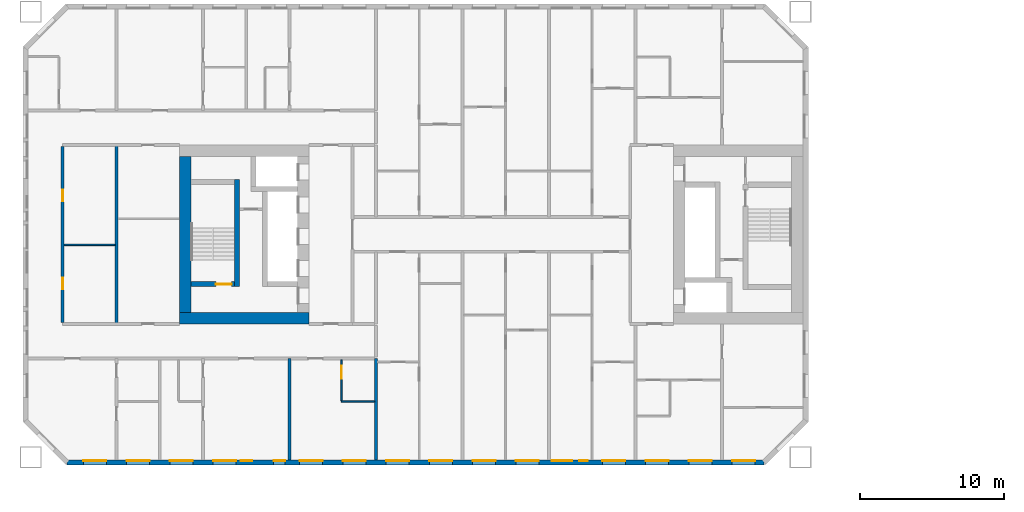
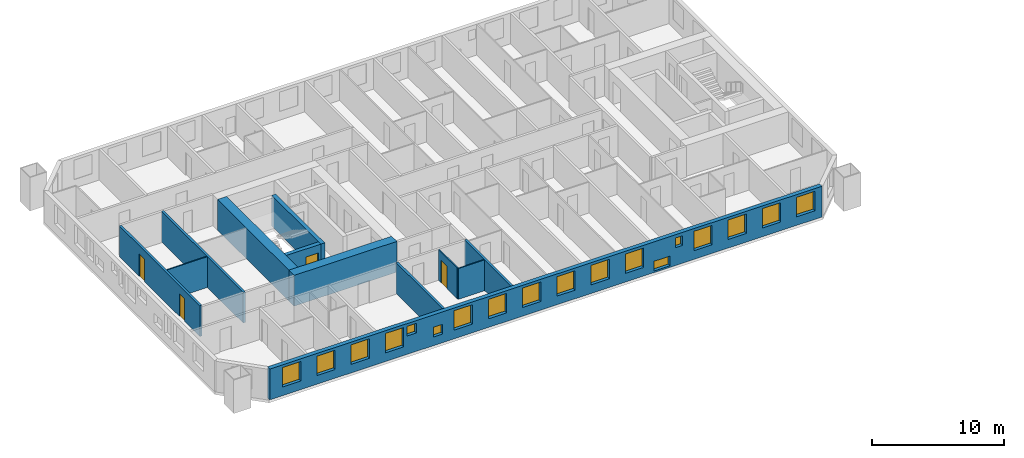
# One storey, part 3 of 17: 18 windows, 12 walls, 4 doors, 22 openings.
"""IFC4 building model written with IfcOpenShell, lengths in metres."""

from ifc_helpers import new_model, si_unit, direction, frame, frame_2d, origin, place, context, subcontext, project, spatial, rectangle, extrude, material, layer, layer_set, type_object, element, fill, save


model = new_model("IFC4")

# Units and contexts
model_context = context("Model", 3, precision=1e-05, world=origin(), true_north=direction((0.0, 1.0)))
body_context = subcontext(model_context, "Body", "Model", "MODEL_VIEW")
ifc_project = project(units=[si_unit("LENGTHUNIT", "METRE"), si_unit("AREAUNIT", "SQUARE_METRE"), si_unit("VOLUMEUNIT", "CUBIC_METRE"), si_unit("PLANEANGLEUNIT", "RADIAN"), si_unit("MASSUNIT", "GRAM", prefix="KILO")], contexts=[model_context])

# Site, building, storey
site_placement = place(None, origin())
site = spatial("IfcSite", under=ifc_project, at=site_placement, CompositionType="ELEMENT")
building_placement = place(site_placement, origin())
building = spatial("IfcBuilding", under=site, at=building_placement, Name="Tuart Gate Housing", CompositionType="ELEMENT")
storey_placement = place(building_placement, frame((0.0, 0.0, 53.60009765625)))
storey = spatial("IfcBuildingStorey", under=building, at=storey_placement, Name="L14", CompositionType="ELEMENT", Elevation=53.60009765625)

# Wall, openings, windows
ifc_material_1 = material(Name="Brick", Category="masonry")
ifc_layer_1 = layer(ifc_material_1, 0.360107421875)
ifc_layer_set_1 = layer_set([ifc_layer_1], Name="Brick pier and spandrel wall 360")
wall_type_1 = type_object("IfcWallType", Name="Brick pier and spandrel wall 360", PredefinedType="STANDARD", material=ifc_layer_set_1)
wall_1_placement = place(storey_placement, frame((24.57470703125, 54.179931640625, 0.0), z_axis=(0.0, 0.0, 1.0), x_axis=(1.0, 0.0, 0.0)))
wall_1 = element("IfcWall", 1, at=wall_1_placement, inside=storey, type_object=wall_type_1, Name="External wall A-S L14", PredefinedType="STANDARD", context=body_context, shape_type="SweptSolid", body=[
    extrude(rectangle(XDim=48.350830078125, YDim=0.360107421875, at=frame_2d((24.17529296875, 0.0))), origin(), (0.0, 0.0, 1.0), 2.849853515625),
])
opening_1_placement = place(wall_1_placement, frame((1.12548828125, 0.0, 0.800048828125)))
opening_1 = element("IfcOpeningElement", 2, at=opening_1_placement, cuts=wall_1, Name="Opening W1", PredefinedType="OPENING", context=body_context, shape_type="SweptSolid", body=[
    extrude(rectangle(XDim=1.60009765625, YDim=1.800048828125, at=frame_2d((0.800048828125, 0.89990234375))), frame((0.0, 0.18994140625, 0.0), z_axis=(0.0, -1.0, 0.0), x_axis=(1.0, 0.0, 0.0)), (0.0, 0.0, 1.0), 0.380126953125),
])
opening_2_placement = place(wall_1_placement, frame((4.12548828125, 0.0, 0.800048828125)))
opening_2 = element("IfcOpeningElement", 3, at=opening_2_placement, cuts=wall_1, Name="Opening W1", PredefinedType="OPENING", context=body_context, shape_type="SweptSolid", body=[
    extrude(rectangle(XDim=1.60009765625, YDim=1.800048828125, at=frame_2d((0.800048828125, 0.89990234375))), frame((0.0, 0.18994140625, 0.0), z_axis=(0.0, -1.0, 0.0), x_axis=(1.0, 0.0, 0.0)), (0.0, 0.0, 1.0), 0.380126953125),
])
opening_3_placement = place(wall_1_placement, frame((7.12548828125, 0.0, 0.800048828125)))
opening_3 = element("IfcOpeningElement", 4, at=opening_3_placement, cuts=wall_1, Name="Opening W1", PredefinedType="OPENING", context=body_context, shape_type="SweptSolid", body=[
    extrude(rectangle(XDim=1.60009765625, YDim=1.800048828125, at=frame_2d((0.800048828125, 0.89990234375))), frame((0.0, 0.18994140625, 0.0), z_axis=(0.0, -1.0, 0.0), x_axis=(1.0, 0.0, 0.0)), (0.0, 0.0, 1.0), 0.380126953125),
])
opening_4_placement = place(wall_1_placement, frame((10.12548828125, 0.0, 0.800048828125)))
opening_4 = element("IfcOpeningElement", 5, at=opening_4_placement, cuts=wall_1, Name="Opening W1", PredefinedType="OPENING", context=body_context, shape_type="SweptSolid", body=[
    extrude(rectangle(XDim=1.60009765625, YDim=1.800048828125, at=frame_2d((0.800048828125, 0.89990234375))), frame((0.0, 0.18994140625, 0.0), z_axis=(0.0, -1.0, 0.0), x_axis=(1.0, 0.0, 0.0)), (0.0, 0.0, 1.0), 0.380126953125),
])
opening_5_placement = place(wall_1_placement, frame((12.025390625, 0.0, 1.699951171875)))
opening_5 = element("IfcOpeningElement", 6, at=opening_5_placement, cuts=wall_1, Name="Opening W1V", PredefinedType="OPENING", context=body_context, shape_type="SweptSolid", body=[
    extrude(rectangle(XDim=0.800048828125, YDim=0.89990234375, at=frame_2d((0.39990234375, 0.449951171875))), frame((0.0, 0.18994140625, 0.0), z_axis=(0.0, -1.0, 0.0), x_axis=(1.0, 0.0, 0.0)), (0.0, 0.0, 1.0), 0.380126953125),
])
opening_6_placement = place(wall_1_placement, frame((16.12548828125, 0.0, 0.800048828125)))
opening_6 = element("IfcOpeningElement", 7, at=opening_6_placement, cuts=wall_1, Name="Opening W1", PredefinedType="OPENING", context=body_context, shape_type="SweptSolid", body=[
    extrude(rectangle(XDim=1.60009765625, YDim=1.800048828125, at=frame_2d((0.800048828125, 0.89990234375))), frame((0.0, 0.18994140625, 0.0), z_axis=(0.0, -1.0, 0.0), x_axis=(1.0, 0.0, 0.0)), (0.0, 0.0, 1.0), 0.380126953125),
])
opening_7_placement = place(wall_1_placement, frame((19.12548828125, 0.0, 0.800048828125)))
opening_7 = element("IfcOpeningElement", 8, at=opening_7_placement, cuts=wall_1, Name="Opening W1", PredefinedType="OPENING", context=body_context, shape_type="SweptSolid", body=[
    extrude(rectangle(XDim=1.60009765625, YDim=1.800048828125, at=frame_2d((0.800048828125, 0.89990234375))), frame((0.0, 0.18994140625, 0.0), z_axis=(0.0, -1.0, 0.0), x_axis=(1.0, 0.0, 0.0)), (0.0, 0.0, 1.0), 0.380126953125),
])
opening_8_placement = place(wall_1_placement, frame((22.12548828125, 0.0, 0.800048828125)))
opening_8 = element("IfcOpeningElement", 9, at=opening_8_placement, cuts=wall_1, Name="Opening W1", PredefinedType="OPENING", context=body_context, shape_type="SweptSolid", body=[
    extrude(rectangle(XDim=1.60009765625, YDim=1.800048828125, at=frame_2d((0.800048828125, 0.89990234375))), frame((0.0, 0.18994140625, 0.0), z_axis=(0.0, -1.0, 0.0), x_axis=(1.0, 0.0, 0.0)), (0.0, 0.0, 1.0), 0.380126953125),
])
opening_9_placement = place(wall_1_placement, frame((25.12548828125, 0.0, 0.800048828125)))
opening_9 = element("IfcOpeningElement", 10, at=opening_9_placement, cuts=wall_1, Name="Opening W1", PredefinedType="OPENING", context=body_context, shape_type="SweptSolid", body=[
    extrude(rectangle(XDim=1.60009765625, YDim=1.800048828125, at=frame_2d((0.800048828125, 0.89990234375))), frame((0.0, 0.18994140625, 0.0), z_axis=(0.0, -1.0, 0.0), x_axis=(1.0, 0.0, 0.0)), (0.0, 0.0, 1.0), 0.380126953125),
])
opening_10_placement = place(wall_1_placement, frame((28.12548828125, 0.0, 0.800048828125)))
opening_10 = element("IfcOpeningElement", 11, at=opening_10_placement, cuts=wall_1, Name="Opening W1", PredefinedType="OPENING", context=body_context, shape_type="SweptSolid", body=[
    extrude(rectangle(XDim=1.60009765625, YDim=1.800048828125, at=frame_2d((0.800048828125, 0.89990234375))), frame((0.0, 0.18994140625, 0.0), z_axis=(0.0, -1.0, 0.0), x_axis=(1.0, 0.0, 0.0)), (0.0, 0.0, 1.0), 0.380126953125),
])
opening_11_placement = place(wall_1_placement, frame((31.12548828125, 0.0, 0.800048828125)))
opening_11 = element("IfcOpeningElement", 12, at=opening_11_placement, cuts=wall_1, Name="Opening W1", PredefinedType="OPENING", context=body_context, shape_type="SweptSolid", body=[
    extrude(rectangle(XDim=1.60009765625, YDim=1.800048828125, at=frame_2d((0.800048828125, 0.89990234375))), frame((0.0, 0.18994140625, 0.0), z_axis=(0.0, -1.0, 0.0), x_axis=(1.0, 0.0, 0.0)), (0.0, 0.0, 1.0), 0.380126953125),
])
opening_12_placement = place(wall_1_placement, frame((33.62548828125, 0.0, 0.14990234375)))
opening_12 = element("IfcOpeningElement", 13, at=opening_12_placement, cuts=wall_1, Name="Opening W1S", PredefinedType="OPENING", context=body_context, shape_type="SweptSolid", body=[
    extrude(rectangle(XDim=1.39990234375, YDim=0.89990234375, at=frame_2d((0.699951171875, 0.449951171875))), frame((0.0, 0.18994140625, 0.0), z_axis=(0.0, -1.0, 0.0), x_axis=(1.0, 0.0, 0.0)), (0.0, 0.0, 1.0), 0.380126953125),
])
opening_13_placement = place(wall_1_placement, frame((37.12548828125, 0.0, 0.800048828125)))
opening_13 = element("IfcOpeningElement", 14, at=opening_13_placement, cuts=wall_1, Name="Opening W1", PredefinedType="OPENING", context=body_context, shape_type="SweptSolid", body=[
    extrude(rectangle(XDim=1.60009765625, YDim=1.800048828125, at=frame_2d((0.800048828125, 0.89990234375))), frame((0.0, 0.18994140625, 0.0), z_axis=(0.0, -1.0, 0.0), x_axis=(1.0, 0.0, 0.0)), (0.0, 0.0, 1.0), 0.380126953125),
])
opening_14_placement = place(wall_1_placement, frame((40.12548828125, 0.0, 0.800048828125)))
opening_14 = element("IfcOpeningElement", 15, at=opening_14_placement, cuts=wall_1, Name="Opening W1", PredefinedType="OPENING", context=body_context, shape_type="SweptSolid", body=[
    extrude(rectangle(XDim=1.60009765625, YDim=1.800048828125, at=frame_2d((0.800048828125, 0.89990234375))), frame((0.0, 0.18994140625, 0.0), z_axis=(0.0, -1.0, 0.0), x_axis=(1.0, 0.0, 0.0)), (0.0, 0.0, 1.0), 0.380126953125),
])
opening_15_placement = place(wall_1_placement, frame((43.12548828125, 0.0, 0.800048828125)))
opening_15 = element("IfcOpeningElement", 16, at=opening_15_placement, cuts=wall_1, Name="Opening W1", PredefinedType="OPENING", context=body_context, shape_type="SweptSolid", body=[
    extrude(rectangle(XDim=1.60009765625, YDim=1.800048828125, at=frame_2d((0.800048828125, 0.89990234375))), frame((0.0, 0.18994140625, 0.0), z_axis=(0.0, -1.0, 0.0), x_axis=(1.0, 0.0, 0.0)), (0.0, 0.0, 1.0), 0.380126953125),
])
opening_16_placement = place(wall_1_placement, frame((46.12548828125, 0.0, 0.800048828125)))
opening_16 = element("IfcOpeningElement", 17, at=opening_16_placement, cuts=wall_1, Name="Opening W1", PredefinedType="OPENING", context=body_context, shape_type="SweptSolid", body=[
    extrude(rectangle(XDim=1.60009765625, YDim=1.800048828125, at=frame_2d((0.800048828125, 0.89990234375))), frame((0.0, 0.18994140625, 0.0), z_axis=(0.0, -1.0, 0.0), x_axis=(1.0, 0.0, 0.0)), (0.0, 0.0, 1.0), 0.380126953125),
])
opening_17_placement = place(wall_1_placement, frame((14.325439453125, 0.0, 0.800048828125)))
opening_17 = element("IfcOpeningElement", 18, at=opening_17_placement, cuts=wall_1, Name="Opening W1V", PredefinedType="OPENING", context=body_context, shape_type="SweptSolid", body=[
    extrude(rectangle(XDim=0.800048828125, YDim=0.89990234375, at=frame_2d((0.39990234375, 0.449951171875))), frame((0.0, 0.18994140625, 0.0), z_axis=(0.0, -1.0, 0.0), x_axis=(1.0, 0.0, 0.0)), (0.0, 0.0, 1.0), 0.380126953125),
])
opening_18_placement = place(wall_1_placement, frame((35.525390625, 0.0, 1.64990234375)))
opening_18 = element("IfcOpeningElement", 19, at=opening_18_placement, cuts=wall_1, Name="Opening W1W", PredefinedType="OPENING", context=body_context, shape_type="SweptSolid", body=[
    extrude(rectangle(XDim=0.60009765625, YDim=0.89990234375, at=frame_2d((0.300048828125, 0.449951171875))), frame((0.0, 0.18994140625, 0.0), z_axis=(0.0, -1.0, 0.0), x_axis=(1.0, 0.0, 0.0)), (0.0, 0.0, 1.0), 0.380126953125),
])
ifc_material_2 = material(Name="Aluminium frame with clear glass", Category="aluminium")
window_type_1 = type_object("IfcWindowType", Name="Punched window 1400 x 900", PartitioningType="SINGLE_PANEL", PredefinedType="WINDOW", material=ifc_material_2)
window_1_placement = place(opening_12_placement, origin())
window_1 = element("IfcWindow", 20, at=window_1_placement, inside=storey, type_object=window_type_1, Name="Window W1S", OverallHeight=0.89990234375, OverallWidth=1.39990234375, PartitioningType="SINGLE_PANEL", PredefinedType="WINDOW", context=body_context, shape_type="SweptSolid", body=[
    extrude(rectangle(XDim=1.39990234375, YDim=0.89990234375, at=frame_2d((0.699951171875, 0.449951171875))), frame((0.0, 0.150146484375, 0.0), z_axis=(0.0, -1.0, 0.0), x_axis=(1.0, 0.0, 0.0)), (0.0, 0.0, 1.0), 0.06005859375),
])
fill(opening_12, window_1)
ifc_material_3 = material(Name="Aluminium frame with clear glass", Category="aluminium")
window_type_2 = type_object("IfcWindowType", Name="Punched window 1600 x 1800", PartitioningType="SINGLE_PANEL", PredefinedType="WINDOW", material=ifc_material_3)
window_2_placement = place(opening_1_placement, origin())
window_2 = element("IfcWindow", 21, at=window_2_placement, inside=storey, type_object=window_type_2, Name="Window W1", OverallHeight=1.800048828125, OverallWidth=1.60009765625, PartitioningType="SINGLE_PANEL", PredefinedType="WINDOW", context=body_context, shape_type="SweptSolid", body=[
    extrude(rectangle(XDim=1.60009765625, YDim=1.800048828125, at=frame_2d((0.800048828125, 0.89990234375))), frame((0.0, 0.150146484375, 0.0), z_axis=(0.0, -1.0, 0.0), x_axis=(1.0, 0.0, 0.0)), (0.0, 0.0, 1.0), 0.06005859375),
])
fill(opening_1, window_2)
window_3_placement = place(opening_2_placement, origin())
window_3 = element("IfcWindow", 22, at=window_3_placement, inside=storey, type_object=window_type_2, Name="Window W1", OverallHeight=1.800048828125, OverallWidth=1.60009765625, PartitioningType="SINGLE_PANEL", PredefinedType="WINDOW", context=body_context, shape_type="SweptSolid", body=[
    extrude(rectangle(XDim=1.60009765625, YDim=1.800048828125, at=frame_2d((0.800048828125, 0.89990234375))), frame((0.0, 0.150146484375, 0.0), z_axis=(0.0, -1.0, 0.0), x_axis=(1.0, 0.0, 0.0)), (0.0, 0.0, 1.0), 0.06005859375),
])
fill(opening_2, window_3)
window_4_placement = place(opening_3_placement, origin())
window_4 = element("IfcWindow", 23, at=window_4_placement, inside=storey, type_object=window_type_2, Name="Window W1", OverallHeight=1.800048828125, OverallWidth=1.60009765625, PartitioningType="SINGLE_PANEL", PredefinedType="WINDOW", context=body_context, shape_type="SweptSolid", body=[
    extrude(rectangle(XDim=1.60009765625, YDim=1.800048828125, at=frame_2d((0.800048828125, 0.89990234375))), frame((0.0, 0.150146484375, 0.0), z_axis=(0.0, -1.0, 0.0), x_axis=(1.0, 0.0, 0.0)), (0.0, 0.0, 1.0), 0.06005859375),
])
fill(opening_3, window_4)
window_5_placement = place(opening_4_placement, origin())
window_5 = element("IfcWindow", 24, at=window_5_placement, inside=storey, type_object=window_type_2, Name="Window W1", OverallHeight=1.800048828125, OverallWidth=1.60009765625, PartitioningType="SINGLE_PANEL", PredefinedType="WINDOW", context=body_context, shape_type="SweptSolid", body=[
    extrude(rectangle(XDim=1.60009765625, YDim=1.800048828125, at=frame_2d((0.800048828125, 0.89990234375))), frame((0.0, 0.150146484375, 0.0), z_axis=(0.0, -1.0, 0.0), x_axis=(1.0, 0.0, 0.0)), (0.0, 0.0, 1.0), 0.06005859375),
])
fill(opening_4, window_5)
window_6_placement = place(opening_6_placement, origin())
window_6 = element("IfcWindow", 25, at=window_6_placement, inside=storey, type_object=window_type_2, Name="Window W1", OverallHeight=1.800048828125, OverallWidth=1.60009765625, PartitioningType="SINGLE_PANEL", PredefinedType="WINDOW", context=body_context, shape_type="SweptSolid", body=[
    extrude(rectangle(XDim=1.60009765625, YDim=1.800048828125, at=frame_2d((0.800048828125, 0.89990234375))), frame((0.0, 0.150146484375, 0.0), z_axis=(0.0, -1.0, 0.0), x_axis=(1.0, 0.0, 0.0)), (0.0, 0.0, 1.0), 0.06005859375),
])
fill(opening_6, window_6)
window_7_placement = place(opening_7_placement, origin())
window_7 = element("IfcWindow", 26, at=window_7_placement, inside=storey, type_object=window_type_2, Name="Window W1", OverallHeight=1.800048828125, OverallWidth=1.60009765625, PartitioningType="SINGLE_PANEL", PredefinedType="WINDOW", context=body_context, shape_type="SweptSolid", body=[
    extrude(rectangle(XDim=1.60009765625, YDim=1.800048828125, at=frame_2d((0.800048828125, 0.89990234375))), frame((0.0, 0.150146484375, 0.0), z_axis=(0.0, -1.0, 0.0), x_axis=(1.0, 0.0, 0.0)), (0.0, 0.0, 1.0), 0.06005859375),
])
fill(opening_7, window_7)
window_8_placement = place(opening_8_placement, origin())
window_8 = element("IfcWindow", 27, at=window_8_placement, inside=storey, type_object=window_type_2, Name="Window W1", OverallHeight=1.800048828125, OverallWidth=1.60009765625, PartitioningType="SINGLE_PANEL", PredefinedType="WINDOW", context=body_context, shape_type="SweptSolid", body=[
    extrude(rectangle(XDim=1.60009765625, YDim=1.800048828125, at=frame_2d((0.800048828125, 0.89990234375))), frame((0.0, 0.150146484375, 0.0), z_axis=(0.0, -1.0, 0.0), x_axis=(1.0, 0.0, 0.0)), (0.0, 0.0, 1.0), 0.06005859375),
])
fill(opening_8, window_8)
window_9_placement = place(opening_9_placement, origin())
window_9 = element("IfcWindow", 28, at=window_9_placement, inside=storey, type_object=window_type_2, Name="Window W1", OverallHeight=1.800048828125, OverallWidth=1.60009765625, PartitioningType="SINGLE_PANEL", PredefinedType="WINDOW", context=body_context, shape_type="SweptSolid", body=[
    extrude(rectangle(XDim=1.60009765625, YDim=1.800048828125, at=frame_2d((0.800048828125, 0.89990234375))), frame((0.0, 0.150146484375, 0.0), z_axis=(0.0, -1.0, 0.0), x_axis=(1.0, 0.0, 0.0)), (0.0, 0.0, 1.0), 0.06005859375),
])
fill(opening_9, window_9)
window_10_placement = place(opening_10_placement, origin())
window_10 = element("IfcWindow", 29, at=window_10_placement, inside=storey, type_object=window_type_2, Name="Window W1", OverallHeight=1.800048828125, OverallWidth=1.60009765625, PartitioningType="SINGLE_PANEL", PredefinedType="WINDOW", context=body_context, shape_type="SweptSolid", body=[
    extrude(rectangle(XDim=1.60009765625, YDim=1.800048828125, at=frame_2d((0.800048828125, 0.89990234375))), frame((0.0, 0.150146484375, 0.0), z_axis=(0.0, -1.0, 0.0), x_axis=(1.0, 0.0, 0.0)), (0.0, 0.0, 1.0), 0.06005859375),
])
fill(opening_10, window_10)
window_11_placement = place(opening_11_placement, origin())
window_11 = element("IfcWindow", 30, at=window_11_placement, inside=storey, type_object=window_type_2, Name="Window W1", OverallHeight=1.800048828125, OverallWidth=1.60009765625, PartitioningType="SINGLE_PANEL", PredefinedType="WINDOW", context=body_context, shape_type="SweptSolid", body=[
    extrude(rectangle(XDim=1.60009765625, YDim=1.800048828125, at=frame_2d((0.800048828125, 0.89990234375))), frame((0.0, 0.150146484375, 0.0), z_axis=(0.0, -1.0, 0.0), x_axis=(1.0, 0.0, 0.0)), (0.0, 0.0, 1.0), 0.06005859375),
])
fill(opening_11, window_11)
window_12_placement = place(opening_13_placement, origin())
window_12 = element("IfcWindow", 31, at=window_12_placement, inside=storey, type_object=window_type_2, Name="Window W1", OverallHeight=1.800048828125, OverallWidth=1.60009765625, PartitioningType="SINGLE_PANEL", PredefinedType="WINDOW", context=body_context, shape_type="SweptSolid", body=[
    extrude(rectangle(XDim=1.60009765625, YDim=1.800048828125, at=frame_2d((0.800048828125, 0.89990234375))), frame((0.0, 0.150146484375, 0.0), z_axis=(0.0, -1.0, 0.0), x_axis=(1.0, 0.0, 0.0)), (0.0, 0.0, 1.0), 0.06005859375),
])
fill(opening_13, window_12)
window_13_placement = place(opening_14_placement, origin())
window_13 = element("IfcWindow", 32, at=window_13_placement, inside=storey, type_object=window_type_2, Name="Window W1", OverallHeight=1.800048828125, OverallWidth=1.60009765625, PartitioningType="SINGLE_PANEL", PredefinedType="WINDOW", context=body_context, shape_type="SweptSolid", body=[
    extrude(rectangle(XDim=1.60009765625, YDim=1.800048828125, at=frame_2d((0.800048828125, 0.89990234375))), frame((0.0, 0.150146484375, 0.0), z_axis=(0.0, -1.0, 0.0), x_axis=(1.0, 0.0, 0.0)), (0.0, 0.0, 1.0), 0.06005859375),
])
fill(opening_14, window_13)
window_14_placement = place(opening_15_placement, origin())
window_14 = element("IfcWindow", 33, at=window_14_placement, inside=storey, type_object=window_type_2, Name="Window W1", OverallHeight=1.800048828125, OverallWidth=1.60009765625, PartitioningType="SINGLE_PANEL", PredefinedType="WINDOW", context=body_context, shape_type="SweptSolid", body=[
    extrude(rectangle(XDim=1.60009765625, YDim=1.800048828125, at=frame_2d((0.800048828125, 0.89990234375))), frame((0.0, 0.150146484375, 0.0), z_axis=(0.0, -1.0, 0.0), x_axis=(1.0, 0.0, 0.0)), (0.0, 0.0, 1.0), 0.06005859375),
])
fill(opening_15, window_14)
window_15_placement = place(opening_16_placement, origin())
window_15 = element("IfcWindow", 34, at=window_15_placement, inside=storey, type_object=window_type_2, Name="Window W1", OverallHeight=1.800048828125, OverallWidth=1.60009765625, PartitioningType="SINGLE_PANEL", PredefinedType="WINDOW", context=body_context, shape_type="SweptSolid", body=[
    extrude(rectangle(XDim=1.60009765625, YDim=1.800048828125, at=frame_2d((0.800048828125, 0.89990234375))), frame((0.0, 0.150146484375, 0.0), z_axis=(0.0, -1.0, 0.0), x_axis=(1.0, 0.0, 0.0)), (0.0, 0.0, 1.0), 0.06005859375),
])
fill(opening_16, window_15)
ifc_material_4 = material(Name="Aluminium frame with clear glass", Category="aluminium")
window_type_3 = type_object("IfcWindowType", Name="Punched window 600 x 900", PartitioningType="SINGLE_PANEL", PredefinedType="WINDOW", material=ifc_material_4)
window_16_placement = place(opening_18_placement, origin())
window_16 = element("IfcWindow", 35, at=window_16_placement, inside=storey, type_object=window_type_3, Name="Window W1W", OverallHeight=0.89990234375, OverallWidth=0.60009765625, PartitioningType="SINGLE_PANEL", PredefinedType="WINDOW", context=body_context, shape_type="SweptSolid", body=[
    extrude(rectangle(XDim=0.60009765625, YDim=0.89990234375, at=frame_2d((0.300048828125, 0.449951171875))), frame((0.0, 0.150146484375, 0.0), z_axis=(0.0, -1.0, 0.0), x_axis=(1.0, 0.0, 0.0)), (0.0, 0.0, 1.0), 0.06005859375),
])
fill(opening_18, window_16)
ifc_material_5 = material(Name="Aluminium frame with clear glass", Category="aluminium")
window_type_4 = type_object("IfcWindowType", Name="Punched window 800 x 900", PartitioningType="SINGLE_PANEL", PredefinedType="WINDOW", material=ifc_material_5)
window_17_placement = place(opening_5_placement, origin())
window_17 = element("IfcWindow", 36, at=window_17_placement, inside=storey, type_object=window_type_4, Name="Window W1V", OverallHeight=0.89990234375, OverallWidth=0.800048828125, PartitioningType="SINGLE_PANEL", PredefinedType="WINDOW", context=body_context, shape_type="SweptSolid", body=[
    extrude(rectangle(XDim=0.800048828125, YDim=0.89990234375, at=frame_2d((0.39990234375, 0.449951171875))), frame((0.0, 0.150146484375, 0.0), z_axis=(0.0, -1.0, 0.0), x_axis=(1.0, 0.0, 0.0)), (0.0, 0.0, 1.0), 0.06005859375),
])
fill(opening_5, window_17)
window_18_placement = place(opening_17_placement, origin())
window_18 = element("IfcWindow", 37, at=window_18_placement, inside=storey, type_object=window_type_4, Name="Window W1V", OverallHeight=0.89990234375, OverallWidth=0.800048828125, PartitioningType="SINGLE_PANEL", PredefinedType="WINDOW", context=body_context, shape_type="SweptSolid", body=[
    extrude(rectangle(XDim=0.800048828125, YDim=0.89990234375, at=frame_2d((0.39990234375, 0.449951171875))), frame((0.0, 0.150146484375, 0.0), z_axis=(0.0, -1.0, 0.0), x_axis=(1.0, 0.0, 0.0)), (0.0, 0.0, 1.0), 0.06005859375),
])
fill(opening_17, window_18)

# Wall, opening, door
ifc_material_6 = material(Name="Concrete C60", Category="concrete")
ifc_layer_2 = layer(ifc_material_6, 0.35009765625)
ifc_layer_set_2 = layer_set([ifc_layer_2], Name="Core wall 350 C60")
wall_type_2 = type_object("IfcWallType", Name="Core wall 350 C60", PredefinedType="SHEAR", material=ifc_layer_set_2)
wall_2_placement = place(storey_placement, frame((36.18505859375, 66.550048828125, 0.0), z_axis=(0.0, 0.0, 1.0), x_axis=(-1.0, 0.0, 0.0)))
wall_2 = element("IfcWall", 38, at=wall_2_placement, inside=storey, type_object=wall_type_2, Name="Core wall AK.5", PredefinedType="SHEAR", context=body_context, shape_type="SweptSolid", body=[
    extrude(rectangle(XDim=3.025146484375, YDim=0.35009765625, at=frame_2d((1.5126953125, 0.0))), origin(), (0.0, 0.0, 1.0), 2.849853515625),
])
opening_19_placement = place(wall_2_placement, frame((0.195068359375, 0.0, 0.0)))
opening_19 = element("IfcOpeningElement", 39, at=opening_19_placement, cuts=wall_2, Name="Opening D753", PredefinedType="OPENING", context=body_context, shape_type="SweptSolid", body=[
    extrude(rectangle(XDim=1.10009765625, YDim=2.10009765625, at=frame_2d((0.550048828125, 1.050048828125))), frame((0.0, 0.18505859375, 0.0), z_axis=(0.0, -1.0, 0.0), x_axis=(1.0, 0.0, 0.0)), (0.0, 0.0, 1.0), 0.3701171875),
])
ifc_material_7 = material(Name="Steel fire door", Category="steel")
door_type_1 = type_object("IfcDoorType", Name="Stair door 1100 x 2100 RH", OperationType="SINGLE_SWING_RIGHT", PredefinedType="DOOR", material=ifc_material_7)
door_1_placement = place(opening_19_placement, frame((1.10009765625, 0.0, 0.0), z_axis=(0.0, 0.0, 1.0), x_axis=(-1.0, 0.0, 0.0)))
door_1 = element("IfcDoor", 40, at=door_1_placement, inside=storey, type_object=door_type_1, Name="Stair door AK.SD", OperationType="SINGLE_SWING_RIGHT", OverallHeight=2.10009765625, OverallWidth=1.10009765625, PredefinedType="DOOR", context=body_context, shape_type="SweptSolid", body=[
    extrude(rectangle(XDim=1.10009765625, YDim=2.10009765625, at=frame_2d((0.550048828125, 1.050048828125))), frame((0.0, 0.025146484375, 0.0), z_axis=(0.0, -1.0, 0.0), x_axis=(1.0, 0.0, 0.0)), (0.0, 0.0, 1.0), 0.050048828125),
])
fill(opening_19, door_1)

# Walls
wall_3_placement = place(storey_placement, frame((36.360107421875, 73.824951171875, 0.0), z_axis=(0.0, 0.0, 1.0), x_axis=(0.0, -1.0, 0.0)))
element("IfcWall", 41, at=wall_3_placement, inside=storey, type_object=wall_type_2, Name="Core wall AK.8", PredefinedType="SHEAR", context=body_context, shape_type="SweptSolid", body=[
    extrude(rectangle(XDim=7.449951171875, YDim=0.35009765625, at=frame_2d((3.72509765625, 0.0))), origin(), (0.0, 0.0, 1.0), 2.849853515625),
])
ifc_material_8 = material(Name="Concrete C60", Category="concrete")
ifc_layer_3 = layer(ifc_material_8, 0.800048828125)
ifc_layer_set_3 = layer_set([ifc_layer_3], Name="Core wall 800 C60")
wall_type_3 = type_object("IfcWallType", Name="Core wall 800 C60", PredefinedType="SHEAR", material=ifc_layer_set_3)
wall_4_placement = place(storey_placement, frame((32.760009765625, 75.39990234375, 0.0), z_axis=(0.0, 0.0, 1.0), x_axis=(0.0, -1.0, 0.0)))
element("IfcWall", 42, at=wall_4_placement, inside=storey, type_object=wall_type_3, Name="Core wall AK back", PredefinedType="SHEAR", context=body_context, shape_type="SweptSolid", body=[
    extrude(rectangle(XDim=10.7998046875, YDim=0.800048828125, at=frame_2d((5.39990234375, 0.0))), origin(), (0.0, 0.0, 1.0), 2.849853515625),
])
wall_5_placement = place(storey_placement, frame((41.360107421875, 64.199951171875, 0.0), z_axis=(0.0, 0.0, 1.0), x_axis=(-1.0, 0.0, 0.0)))
element("IfcWall", 43, at=wall_5_placement, inside=storey, type_object=wall_type_3, Name="Core wall AK north", PredefinedType="SHEAR", context=body_context, shape_type="SweptSolid", body=[
    extrude(rectangle(XDim=9.0, YDim=0.800048828125, at=frame_2d((4.5, 0.0))), origin(), (0.0, 0.0, 1.0), 2.849853515625),
])

# Wall, openings, doors
ifc_material_9 = material(Name="Concrete masonry 15 MPa", Category="masonry")
ifc_layer_4 = layer(ifc_material_9, 0.199951171875)
ifc_layer_set_4 = layer_set([ifc_layer_4], Name="Corridor wall masonry 200")
wall_type_4 = type_object("IfcWallType", Name="Corridor wall masonry 200", PredefinedType="PARTITIONING", material=ifc_layer_set_4)
wall_6_placement = place(storey_placement, frame((24.260009765625, 63.89990234375, 0.0), z_axis=(0.0, 0.0, 1.0), x_axis=(0.0, 1.0, 0.0)))
wall_6 = element("IfcWall", 44, at=wall_6_placement, inside=storey, type_object=wall_type_4, Name="Corridor wall masonry 200", PredefinedType="PARTITIONING", context=body_context, shape_type="SweptSolid", body=[
    extrude(rectangle(XDim=12.2001953125, YDim=0.199951171875, at=frame_2d((6.10009765625, 0.0))), origin(), (0.0, 0.0, 1.0), 2.849853515625),
])
opening_20_placement = place(wall_6_placement, frame((2.2900390625, 0.0, 0.0)))
opening_20 = element("IfcOpeningElement", 45, at=opening_20_placement, cuts=wall_6, Name="Opening D742", PredefinedType="OPENING", context=body_context, shape_type="SweptSolid", body=[
    extrude(rectangle(XDim=0.800048828125, YDim=2.10009765625, at=frame_2d((0.39990234375, 1.050048828125))), frame((0.0, 0.10986328125, 0.0), z_axis=(0.0, -1.0, 0.0), x_axis=(1.0, 0.0, 0.0)), (0.0, 0.0, 1.0), 0.219970703125),
])
opening_21_placement = place(wall_6_placement, frame((8.389892578125, 0.0, 0.0)))
opening_21 = element("IfcOpeningElement", 46, at=opening_21_placement, cuts=wall_6, Name="Opening D743", PredefinedType="OPENING", context=body_context, shape_type="SweptSolid", body=[
    extrude(rectangle(XDim=0.800048828125, YDim=2.10009765625, at=frame_2d((0.39990234375, 1.050048828125))), frame((0.0, 0.10986328125, 0.0), z_axis=(0.0, -1.0, 0.0), x_axis=(1.0, 0.0, 0.0)), (0.0, 0.0, 1.0), 0.219970703125),
])
ifc_material_10 = material(Name="Timber door leaf in steel frame", Category="steel")
door_type_2 = type_object("IfcDoorType", Name="Store door 800", OperationType="SINGLE_SWING_LEFT", PredefinedType="DOOR", material=ifc_material_10)
door_2_placement = place(opening_20_placement, frame((0.800048828125, 0.0, 0.0), z_axis=(0.0, 0.0, 1.0), x_axis=(-1.0, 0.0, 0.0)))
door_2 = element("IfcDoor", 47, at=door_2_placement, inside=storey, type_object=door_type_2, Name="Store door", OperationType="SINGLE_SWING_LEFT", OverallHeight=2.10009765625, OverallWidth=0.800048828125, PredefinedType="DOOR", context=body_context, shape_type="SweptSolid", body=[
    extrude(rectangle(XDim=0.800048828125, YDim=2.10009765625, at=frame_2d((0.400146484375, 1.050048828125))), frame((0.0, 0.025146484375, 0.0), z_axis=(0.0, -1.0, 0.0), x_axis=(1.0, 0.0, 0.0)), (0.0, 0.0, 1.0), 0.050048828125),
])
fill(opening_20, door_2)
ifc_material_11 = material(Name="Timber door leaf in steel frame", Category="steel")
door_type_3 = type_object("IfcDoorType", Name="Store door 800 RH", OperationType="SINGLE_SWING_RIGHT", PredefinedType="DOOR", material=ifc_material_11)
door_3_placement = place(opening_21_placement, frame((0.800048828125, 0.0, 0.0), z_axis=(0.0, 0.0, 1.0), x_axis=(-1.0, 0.0, 0.0)))
door_3 = element("IfcDoor", 48, at=door_3_placement, inside=storey, type_object=door_type_3, Name="Store door", OperationType="SINGLE_SWING_RIGHT", OverallHeight=2.10009765625, OverallWidth=0.800048828125, PredefinedType="DOOR", context=body_context, shape_type="SweptSolid", body=[
    extrude(rectangle(XDim=0.800048828125, YDim=2.10009765625, at=frame_2d((0.400146484375, 1.050048828125))), frame((0.0, 0.025146484375, 0.0), z_axis=(0.0, -1.0, 0.0), x_axis=(1.0, 0.0, 0.0)), (0.0, 0.0, 1.0), 0.050048828125),
])
fill(opening_21, door_3)

# Walls
ifc_material_12 = material(Name="Gypsum board on steel studs", Category="steel")
ifc_layer_5 = layer(ifc_material_12, 0.10009765625)
ifc_layer_set_5 = layer_set([ifc_layer_5], Name="Partition 100")
wall_type_5 = type_object("IfcWallType", Name="Partition 100", PredefinedType="PARTITIONING", material=ifc_layer_set_5)
wall_7_placement = place(storey_placement, frame((43.60009765625, 58.39990234375, 0.0), z_axis=(0.0, 0.0, 1.0), x_axis=(1.0, 0.0, 0.0)))
element("IfcWall", 49, at=wall_7_placement, inside=storey, type_object=wall_type_5, Name="Partition 100", PredefinedType="PARTITIONING", context=body_context, shape_type="SweptSolid", body=[
    extrude(rectangle(XDim=2.2998046875, YDim=0.10009765625, at=frame_2d((1.14990234375, 0.0))), origin(), (0.0, 0.0, 1.0), 2.849853515625),
])
wall_8_placement = place(storey_placement, frame((24.360107421875, 69.280029296875, 0.0), z_axis=(0.0, 0.0, 1.0), x_axis=(1.0, 0.0, 0.0)))
element("IfcWall", 50, at=wall_8_placement, inside=storey, type_object=wall_type_5, Name="Partition 100", PredefinedType="PARTITIONING", context=body_context, shape_type="SweptSolid", body=[
    extrude(rectangle(XDim=3.539794921875, YDim=0.10009765625, at=frame_2d((1.77001953125, 0.0))), origin(), (0.0, 0.0, 1.0), 2.849853515625),
])

# Wall, opening, door
wall_9_placement = place(storey_placement, frame((43.60009765625, 58.449951171875, 0.0), z_axis=(0.0, 0.0, 1.0), x_axis=(0.0, 1.0, 0.0)))
wall_9 = element("IfcWall", 51, at=wall_9_placement, inside=storey, type_object=wall_type_5, Name="Partition 100", PredefinedType="PARTITIONING", context=body_context, shape_type="SweptSolid", body=[
    extrude(rectangle(XDim=2.85009765625, YDim=0.10009765625, at=frame_2d((1.425048828125, 0.0))), origin(), (0.0, 0.0, 1.0), 2.849853515625),
])
opening_22_placement = place(wall_9_placement, frame((1.550048828125, 0.0, 0.0)))
opening_22 = element("IfcOpeningElement", 52, at=opening_22_placement, cuts=wall_9, Name="Opening D771", PredefinedType="OPENING", context=body_context, shape_type="SweptSolid", body=[
    extrude(rectangle(XDim=0.89990234375, YDim=2.10009765625, at=frame_2d((0.449951171875, 1.050048828125))), frame((0.0, 0.06005859375, 0.0), z_axis=(0.0, -1.0, 0.0), x_axis=(1.0, 0.0, 0.0)), (0.0, 0.0, 1.0), 0.1201171875),
])
ifc_material_13 = material(Name="Timber door leaf in steel frame", Category="steel")
door_type_4 = type_object("IfcDoorType", Name="Bathroom door 900", OperationType="SINGLE_SWING_LEFT", PredefinedType="DOOR", material=ifc_material_13)
door_4_placement = place(opening_22_placement, frame((0.89990234375, 0.0, 0.0), z_axis=(0.0, 0.0, 1.0), x_axis=(-1.0, 0.0, 0.0)))
door_4 = element("IfcDoor", 53, at=door_4_placement, inside=storey, type_object=door_type_4, Name="Bathroom door", OperationType="SINGLE_SWING_LEFT", OverallHeight=2.10009765625, OverallWidth=0.89990234375, PredefinedType="DOOR", context=body_context, shape_type="SweptSolid", body=[
    extrude(rectangle(XDim=0.89990234375, YDim=2.10009765625, at=frame_2d((0.449951171875, 1.050048828125))), frame((0.0, 0.025146484375, 0.0), z_axis=(0.0, -1.0, 0.0), x_axis=(1.0, 0.0, 0.0)), (0.0, 0.0, 1.0), 0.050048828125),
])
fill(opening_22, door_4)

# Walls
ifc_material_14 = material(Name="Concrete C40", Category="concrete")
ifc_layer_6 = layer(ifc_material_14, 0.199951171875)
ifc_layer_set_6 = layer_set([ifc_layer_6], Name="Party wall concrete C40 200")
wall_type_6 = type_object("IfcWallType", Name="Party wall concrete C40 200", PredefinedType="SOLIDWALL", material=ifc_layer_set_6)
wall_10_placement = place(storey_placement, frame((28.0, 63.800048828125, 0.0), z_axis=(0.0, 0.0, 1.0), x_axis=(0.0, 1.0, 0.0)))
element("IfcWall", 54, at=wall_10_placement, inside=storey, type_object=wall_type_6, Name="Party wall concrete C40 200", PredefinedType="SOLIDWALL", context=body_context, shape_type="SweptSolid", body=[
    extrude(rectangle(XDim=12.39990234375, YDim=0.199951171875, at=frame_2d((6.199951171875, 0.0))), origin(), (0.0, 0.0, 1.0), 2.849853515625),
])
for number, where, z_axis, x_axis, name in (
    (55, (40.0, 54.360107421875, 0.0), (0.0, 0.0, 1.0), (0.0, 1.0, 0.0), "Party wall concrete C40 200"),
    (56, (46.0, 54.360107421875, 0.0), (0.0, 0.0, 1.0), (0.0, 1.0, 0.0), "Party wall concrete C40 200"),
):
    element("IfcWall", number, at=place(storey_placement, frame(where, z_axis=z_axis, x_axis=x_axis)), inside=storey, type_object=wall_type_6, Name=name, PredefinedType="SOLIDWALL", context=body_context, shape_type="SweptSolid", body=[
        extrude(rectangle(XDim=7.039794921875, YDim=0.199951171875, at=frame_2d((3.52001953125, 0.0))), origin(), (0.0, 0.0, 1.0), 2.849853515625),
    ])

save(model, "model.ifc")
